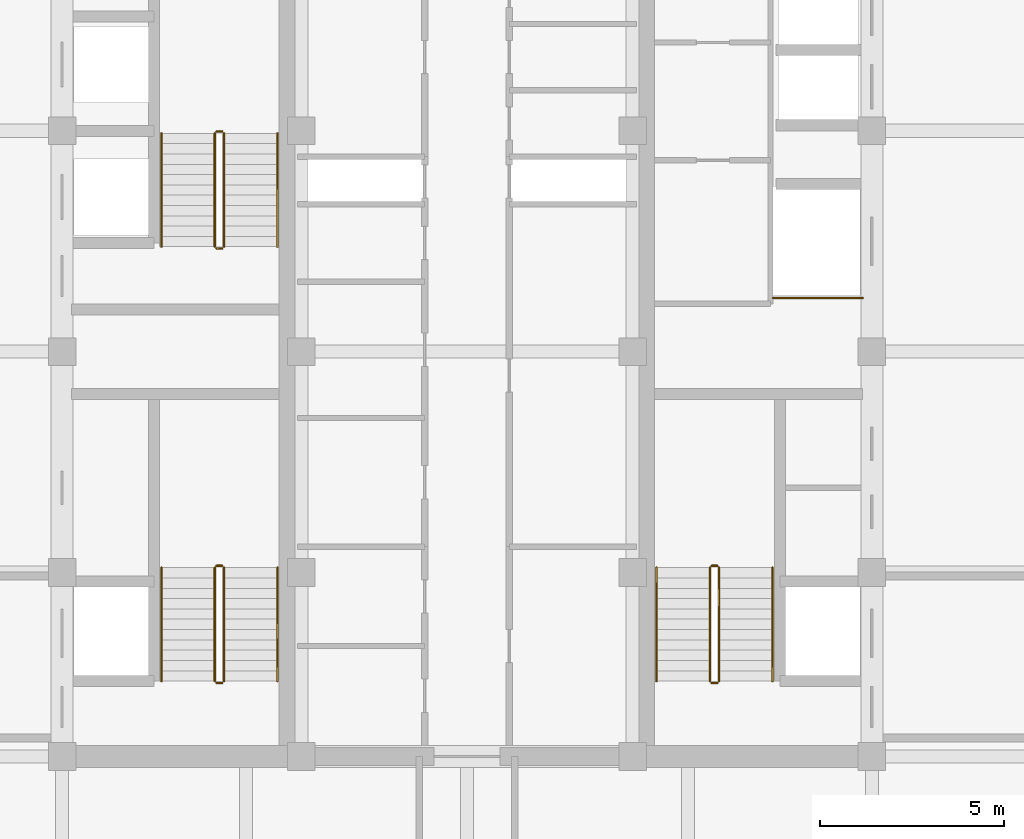
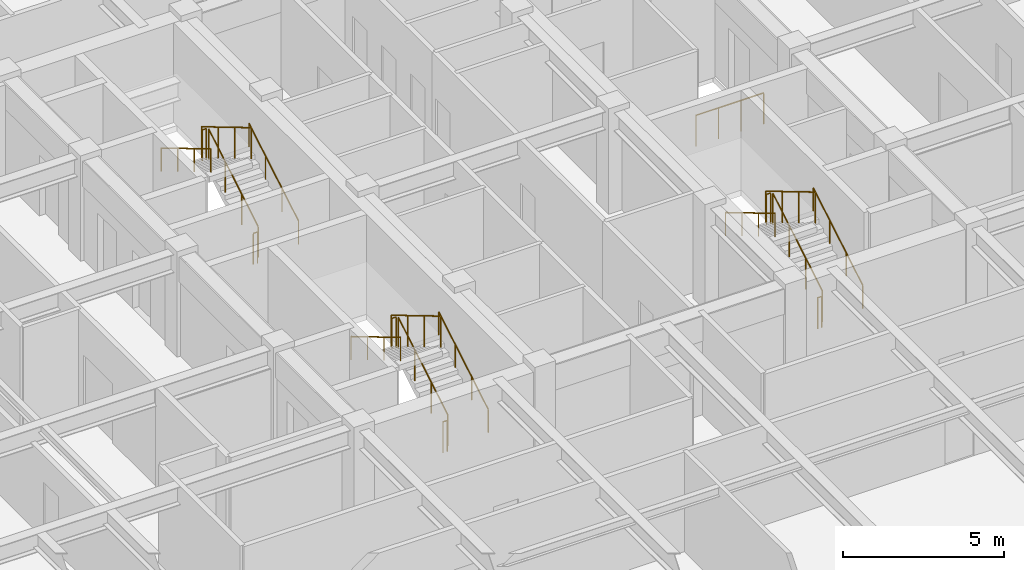
# One storey, part 22 of 22: 19 railings.
"""IFC4 building model written with IfcOpenShell, lengths in metres."""

from ifc_helpers import new_model, si_unit, direction, frame, origin, origin_2d, place, context, subcontext, project, spatial, circle, extrude, source, transform, mapped, material, type_object, element, save


model = new_model("IFC4")

# Units and contexts
model_context = context("Model", 3, precision=1e-05, world=origin(), true_north=direction((0.0, 1.0)))
body_context = subcontext(model_context, "Body", "Model", "MODEL_VIEW")
ifc_project = project(units=[si_unit("LENGTHUNIT", "METRE"), si_unit("AREAUNIT", "SQUARE_METRE"), si_unit("VOLUMEUNIT", "CUBIC_METRE"), si_unit("PLANEANGLEUNIT", "RADIAN"), si_unit("MASSUNIT", "GRAM", prefix="KILO")], contexts=[model_context])

# Site, building, storey
site_placement = place(None, origin())
site = spatial("IfcSite", under=ifc_project, at=site_placement, CompositionType="ELEMENT")
building_placement = place(site_placement, origin())
building = spatial("IfcBuilding", under=site, at=building_placement, Name="Khorayat Bourse Tower", CompositionType="ELEMENT")
storey_placement = place(building_placement, frame((0.0, 0.0, 305.5)))
storey = spatial("IfcBuildingStorey", under=building, at=storey_placement, Name="L72", CompositionType="ELEMENT", Elevation=305.5)

# Railings
ifc_material_1 = material(Name="Powder-coated steel balustrade", Category="steel")
railing_type_1 = type_object("IfcRailingType", Name="RLG-GUARD-1200", PredefinedType="GUARDRAIL", material=ifc_material_1)
shared_shape_1 = source(origin(), body_context, "Body", "SweptSolid", [
    extrude(circle(Radius=0.02392578125, at=origin_2d()), frame((0.0, 0.0, 1.17578125), z_axis=(-1.0, 0.0, 0.0), x_axis=(0.0, -1.0, 0.0)), (0.0, 0.0, 1.0), 0.150146484375),
    extrude(circle(Radius=0.02099609375, at=origin_2d()), origin(), (0.0, 0.0, 1.0), 1.15185546875),
    extrude(circle(Radius=0.02099609375, at=origin_2d()), frame((-0.150146484375, 0.0, 0.0)), (0.0, 0.0, 1.0), 1.15185546875),
])
for number, where, name in (
    (1, (-6.64990234375, -5.820068359375, 2.0), "L72 ST-1 stair guard 2"),
    (2, (-6.64990234375, -9.0, 0.0), "L72 ST-1 stair guard 4"),
    (3, (-6.64990234375, 5.97998046875, 2.0), "L72 ST-2 stair guard 2"),
    (4, (-6.64990234375, 2.800048828125, 0.0), "L72 ST-2 stair guard 4"),
    (5, (6.800048828125, -5.820068359375, 2.0), "L72 ST-3 stair guard 2"),
    (6, (6.800048828125, -9.0, 0.0), "L72 ST-3 stair guard 4"),
):
    element("IfcRailing", number, at=place(storey_placement, frame(where)), inside=storey, type_object=railing_type_1, Name=name, PredefinedType="GUARDRAIL", context=body_context, shape_type="MappedRepresentation", body=[
        mapped(shared_shape_1, transform((0.0, 0.0, 0.0), scale=1.0)),
    ])
shared_shape_2 = source(origin(), body_context, "Body", "SweptSolid", [
    extrude(circle(Radius=0.02392578125, at=origin_2d()), frame((0.0, 0.0, 1.17578125), z_axis=(0.0, 0.859290745958, 0.51148745235), x_axis=(-1.0, 0.0, 0.0)), (0.0, 0.0, 1.0), 3.584228515625),
    extrude(circle(Radius=0.02099609375, at=origin_2d()), origin(), (0.0, 0.0, 1.0), 1.15185546875),
    extrude(circle(Radius=0.02099609375, at=origin_2d()), frame((0.0, 1.026611328125, 0.611083984375)), (0.0, 0.0, 1.0), 1.15185546875),
    extrude(circle(Radius=0.02099609375, at=origin_2d()), frame((0.0, 2.05322265625, 1.22216796875)), (0.0, 0.0, 1.0), 1.15185546875),
    extrude(circle(Radius=0.02099609375, at=origin_2d()), frame((0.0, 3.079833984375, 1.833251953125)), (0.0, 0.0, 1.0), 1.15185546875),
])
for number, where, name in (
    (7, (-6.60009765625, -8.949951171875, 0.166748046875), "L72 ST-1 stair guard 1"),
    (8, (-6.60009765625, 2.85009765625, 0.166748046875), "L72 ST-2 stair guard 1"),
    (9, (6.85009765625, -8.949951171875, 0.166748046875), "L72 ST-3 stair guard 1"),
):
    element("IfcRailing", number, at=place(storey_placement, frame(where)), inside=storey, type_object=railing_type_1, Name=name, PredefinedType="GUARDRAIL", context=body_context, shape_type="MappedRepresentation", body=[
        mapped(shared_shape_2, transform((0.0, 0.0, 0.0), scale=1.0)),
    ])
shared_shape_3 = source(origin(), body_context, "Body", "SweptSolid", [
    extrude(circle(Radius=0.02392578125, at=origin_2d()), frame((0.0, 0.0, 1.17578125), z_axis=(0.0, -0.859290745958, 0.51148745235), x_axis=(1.0, 0.0, 0.0)), (0.0, 0.0, 1.0), 3.584228515625),
    extrude(circle(Radius=0.02099609375, at=origin_2d()), origin(), (0.0, 0.0, 1.0), 1.15185546875),
    extrude(circle(Radius=0.02099609375, at=origin_2d()), frame((0.0, -1.026611328125, 0.611083984375)), (0.0, 0.0, 1.0), 1.15185546875),
    extrude(circle(Radius=0.02099609375, at=origin_2d()), frame((0.0, -2.05322265625, 1.22216796875)), (0.0, 0.0, 1.0), 1.15185546875),
    extrude(circle(Radius=0.02099609375, at=origin_2d()), frame((0.0, -3.079833984375, 1.833251953125)), (0.0, 0.0, 1.0), 1.15185546875),
])
for number, where, name in (
    (10, (-6.85009765625, -5.8701171875, 2.166748046875), "L72 ST-1 stair guard 3"),
    (11, (-6.85009765625, 5.929931640625, 2.166748046875), "L72 ST-2 stair guard 3"),
    (12, (6.60009765625, -5.8701171875, 2.166748046875), "L72 ST-3 stair guard 3"),
):
    element("IfcRailing", number, at=place(storey_placement, frame(where)), inside=storey, type_object=railing_type_1, Name=name, PredefinedType="GUARDRAIL", context=body_context, shape_type="MappedRepresentation", body=[
        mapped(shared_shape_3, transform((0.0, 0.0, 0.0), scale=1.0)),
    ])
ifc_material_2 = material(Name="Brushed bronze stainless-steel handrail", Category="steel")
railing_type_2 = type_object("IfcRailingType", Name="RLG-HAND-900", PredefinedType="HANDRAIL", material=ifc_material_2)
shared_shape_4 = source(origin(), body_context, "Body", "SweptSolid", [
    extrude(circle(Radius=0.02392578125, at=origin_2d()), frame((0.0, 0.0, 0.8759765625), z_axis=(0.0, 0.859290745958, 0.51148745235), x_axis=(-1.0, 0.0, 0.0)), (0.0, 0.0, 1.0), 3.584228515625),
    extrude(circle(Radius=0.02099609375, at=origin_2d()), origin(), (0.0, 0.0, 1.0), 0.851806640625),
    extrude(circle(Radius=0.02099609375, at=origin_2d()), frame((0.0, 1.026611328125, 0.611083984375)), (0.0, 0.0, 1.0), 0.851806640625),
    extrude(circle(Radius=0.02099609375, at=origin_2d()), frame((0.0, 2.05322265625, 1.22216796875)), (0.0, 0.0, 1.0), 0.851806640625),
    extrude(circle(Radius=0.02099609375, at=origin_2d()), frame((0.0, 3.079833984375, 1.833251953125)), (0.0, 0.0, 1.0), 0.851806640625),
])
for number, where, name in (
    (13, (-5.14990234375, -8.949951171875, 0.166748046875), "L72 ST-1 stair handrail 1"),
    (14, (-5.14990234375, 2.85009765625, 0.166748046875), "L72 ST-2 stair handrail 1"),
    (15, (8.300048828125, -8.949951171875, 0.166748046875), "L72 ST-3 stair handrail 1"),
):
    element("IfcRailing", number, at=place(storey_placement, frame(where)), inside=storey, type_object=railing_type_2, Name=name, PredefinedType="HANDRAIL", context=body_context, shape_type="MappedRepresentation", body=[
        mapped(shared_shape_4, transform((0.0, 0.0, 0.0), scale=1.0)),
    ])
shared_shape_5 = source(origin(), body_context, "Body", "SweptSolid", [
    extrude(circle(Radius=0.02392578125, at=origin_2d()), frame((0.0, 0.0, 0.8759765625), z_axis=(0.0, -0.859290745958, 0.51148745235), x_axis=(1.0, 0.0, 0.0)), (0.0, 0.0, 1.0), 3.584228515625),
    extrude(circle(Radius=0.02099609375, at=origin_2d()), origin(), (0.0, 0.0, 1.0), 0.851806640625),
    extrude(circle(Radius=0.02099609375, at=origin_2d()), frame((0.0, -1.026611328125, 0.611083984375)), (0.0, 0.0, 1.0), 0.851806640625),
    extrude(circle(Radius=0.02099609375, at=origin_2d()), frame((0.0, -2.05322265625, 1.22216796875)), (0.0, 0.0, 1.0), 0.851806640625),
    extrude(circle(Radius=0.02099609375, at=origin_2d()), frame((0.0, -3.079833984375, 1.833251953125)), (0.0, 0.0, 1.0), 0.851806640625),
])
for number, where, name in (
    (16, (-8.300048828125, -5.8701171875, 2.166748046875), "L72 ST-1 stair handrail 2"),
    (17, (-8.300048828125, 5.929931640625, 2.166748046875), "L72 ST-2 stair handrail 2"),
    (18, (5.14990234375, -5.8701171875, 2.166748046875), "L72 ST-3 stair handrail 2"),
):
    element("IfcRailing", number, at=place(storey_placement, frame(where)), inside=storey, type_object=railing_type_2, Name=name, PredefinedType="HANDRAIL", context=body_context, shape_type="MappedRepresentation", body=[
        mapped(shared_shape_5, transform((0.0, 0.0, 0.0), scale=1.0)),
    ])
shared_shape_6 = source(origin(), body_context, "Body", "SweptSolid", [
    extrude(circle(Radius=0.02392578125, at=origin_2d()), frame((0.0, 0.0, 1.17578125), z_axis=(1.0, 0.0, 0.0), x_axis=(0.0, 1.0, 0.0)), (0.0, 0.0, 1.0), 2.429931640625),
    extrude(circle(Radius=0.02099609375, at=origin_2d()), origin(), (0.0, 0.0, 1.0), 1.15185546875),
    extrude(circle(Radius=0.02099609375, at=origin_2d()), frame((0.81005859375, 0.0, 0.0)), (0.0, 0.0, 1.0), 1.15185546875),
    extrude(circle(Radius=0.02099609375, at=origin_2d()), frame((1.619873046875, 0.0, 0.0)), (0.0, 0.0, 1.0), 1.15185546875),
    extrude(circle(Radius=0.02099609375, at=origin_2d()), frame((2.429931640625, 0.0, 0.0)), (0.0, 0.0, 1.0), 1.15185546875),
])
railing_placement = place(storey_placement, frame((8.320068359375, 1.4599609375, 0.0)))
element("IfcRailing", 19, at=railing_placement, inside=storey, type_object=railing_type_1, Name="L72 Goods Shaft Opening Guardrail", PredefinedType="GUARDRAIL", context=body_context, shape_type="MappedRepresentation", body=[
    mapped(shared_shape_6, transform((0.0, 0.0, 0.0), scale=1.0)),
])

save(model, "model.ifc")
